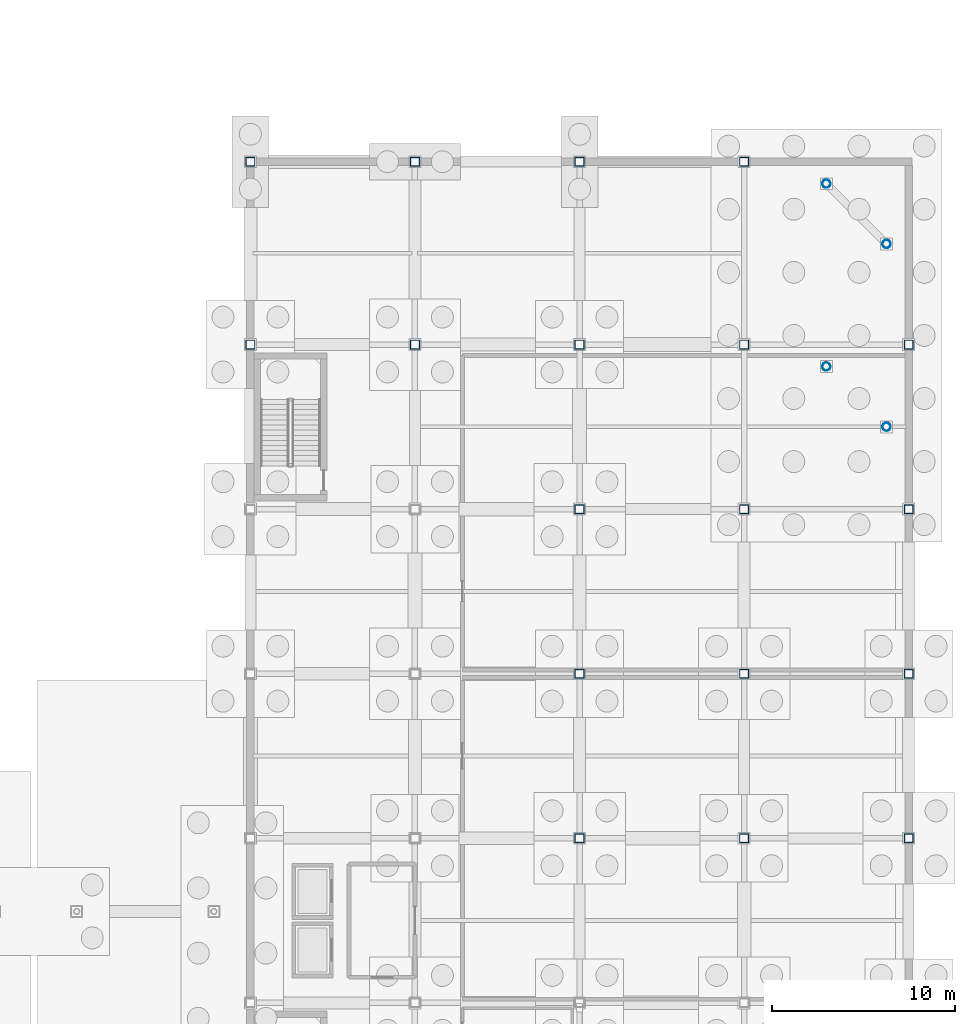
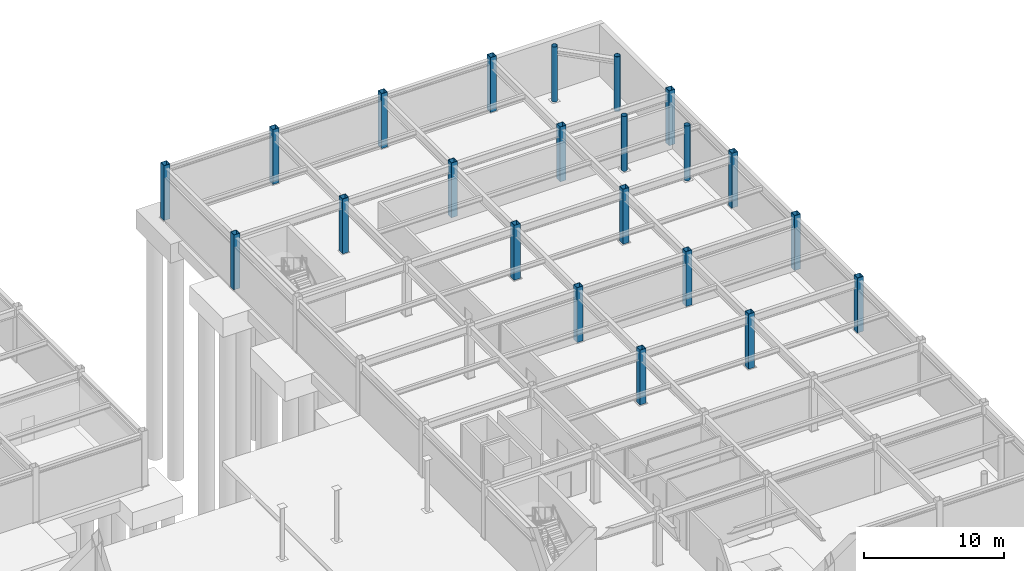
# One storey, part 39 of 74: 22 columns.
"""IFC4 building model written with IfcOpenShell, lengths in metres."""

from ifc_helpers import new_model, si_unit, direction, frame, origin, origin_2d, place, context, subcontext, project, spatial, hollow_rectangle, hollow_circle, extrude, material, material_profile, profile_set, type_object, element, save


model = new_model("IFC4")

# Units and contexts
model_context = context("Model", 3, precision=1e-05, world=origin(), true_north=direction((0.0, 1.0)))
body_context = subcontext(model_context, "Body", "Model", "MODEL_VIEW")
ifc_project = project(units=[si_unit("LENGTHUNIT", "METRE"), si_unit("AREAUNIT", "SQUARE_METRE"), si_unit("VOLUMEUNIT", "CUBIC_METRE"), si_unit("PLANEANGLEUNIT", "RADIAN"), si_unit("MASSUNIT", "GRAM", prefix="KILO")], contexts=[model_context])

# Site, building, storey
site_placement = place(None, origin())
site = spatial("IfcSite", under=ifc_project, at=site_placement, CompositionType="ELEMENT")
building_placement = place(site_placement, origin())
building = spatial("IfcBuilding", under=site, at=building_placement, Name="Suzunagisa Mobility Hub", CompositionType="ELEMENT")
storey_placement = place(building_placement, frame((0.0, 0.0, -4.800048828125)))
storey = spatial("IfcBuildingStorey", under=building, at=storey_placement, Name="B1", CompositionType="ELEMENT", Elevation=-4.800048828125)

# Columns
ifc_material = material(Name="Steel SN490B", Category="steel")
ifc_material_profile_1 = material_profile(ifc_material, hollow_circle(Radius=0.228515625, WallThickness=0.01611328125, at=origin_2d()), Name="CHS-457.2x16.0")
ifc_profile_set_1 = profile_set([ifc_material_profile_1], Name="Steel SN490B")
column_type_1 = type_object("IfcColumnType", Name="Steel Column CL-08 CHS-457.2x16.0", PredefinedType="COLUMN", material=ifc_profile_set_1)
for number, where, z_axis, x_axis, name in (
    (1, (175.5, 96.794189453125, 0.0), (0.0, 0.0, 1.0), (1.0, 0.0, 0.0), "B1 Column 313"),
    (2, (175.5, 106.794189453125, 0.0), (0.0, 0.0, 1.0), (1.0, 0.0, 0.0), "B1 Column 314"),
    (3, (178.794189453125, 93.5, 0.0), (0.0, 0.0, 1.0), (1.0, 0.0, 0.0), "B1 Column 319"),
    (4, (178.794189453125, 103.5, 0.0), (0.0, 0.0, 1.0), (1.0, 0.0, 0.0), "B1 Column 320"),
):
    element("IfcColumn", number, at=place(storey_placement, frame(where, z_axis=z_axis, x_axis=x_axis)), inside=storey, type_object=column_type_1, Name=name, PredefinedType="COLUMN", context=body_context, shape_type="SweptSolid", body=[
        extrude(hollow_circle(Radius=0.228515625, WallThickness=0.01611328125, at=origin_2d()), origin(), (0.0, 0.0, 1.0), 4.800048828125),
    ])
ifc_material_profile_2 = material_profile(ifc_material, hollow_rectangle(XDim=0.5, YDim=0.5, WallThickness=0.02490234375, at=origin_2d()), Name="BCR-500x500x25")
ifc_profile_set_2 = profile_set([ifc_material_profile_2], Name="Steel SN490B")
column_type_2 = type_object("IfcColumnType", Name="Steel Column CL-11 BCR-500x500x25", PredefinedType="COLUMN", material=ifc_profile_set_2)
for number, where, z_axis, x_axis, name in (
    (5, (144.0, 98.0, 0.0), (0.0, 0.0, 1.0), (1.0, 0.0, 0.0), "B1 Column 262"),
    (6, (144.0, 108.0, 0.0), (0.0, 0.0, 1.0), (1.0, 0.0, 0.0), "B1 Column 263"),
    (7, (153.0, 98.0, 0.0), (0.0, 0.0, 1.0), (1.0, 0.0, 0.0), "B1 Column 275"),
    (8, (153.0, 108.0, 0.0), (0.0, 0.0, 1.0), (1.0, 0.0, 0.0), "B1 Column 276"),
    (9, (162.0, 71.0, 0.0), (0.0, 0.0, 1.0), (1.0, 0.0, 0.0), "B1 Column 291"),
    (10, (162.0, 80.0, 0.0), (0.0, 0.0, 1.0), (1.0, 0.0, 0.0), "B1 Column 292"),
    (11, (162.0, 89.0, 0.0), (0.0, 0.0, 1.0), (1.0, 0.0, 0.0), "B1 Column 293"),
    (12, (162.0, 98.0, 0.0), (0.0, 0.0, 1.0), (1.0, 0.0, 0.0), "B1 Column 294"),
    (13, (162.0, 108.0, 0.0), (0.0, 0.0, 1.0), (1.0, 0.0, 0.0), "B1 Column 295"),
    (14, (171.0, 71.0, 0.0), (0.0, 0.0, 1.0), (1.0, 0.0, 0.0), "B1 Column 304"),
    (15, (171.0, 80.0, 0.0), (0.0, 0.0, 1.0), (1.0, 0.0, 0.0), "B1 Column 305"),
    (16, (171.0, 89.0, 0.0), (0.0, 0.0, 1.0), (1.0, 0.0, 0.0), "B1 Column 306"),
    (17, (171.0, 98.0, 0.0), (0.0, 0.0, 1.0), (1.0, 0.0, 0.0), "B1 Column 307"),
    (18, (171.0, 108.0, 0.0), (0.0, 0.0, 1.0), (1.0, 0.0, 0.0), "B1 Column 308"),
    (19, (180.0, 71.0, 0.0), (0.0, 0.0, 1.0), (1.0, 0.0, 0.0), "B1 Column 328"),
    (20, (180.0, 80.0, 0.0), (0.0, 0.0, 1.0), (1.0, 0.0, 0.0), "B1 Column 329"),
    (21, (180.0, 89.0, 0.0), (0.0, 0.0, 1.0), (1.0, 0.0, 0.0), "B1 Column 330"),
    (22, (180.0, 98.0, 0.0), (0.0, 0.0, 1.0), (1.0, 0.0, 0.0), "B1 Column 331"),
):
    element("IfcColumn", number, at=place(storey_placement, frame(where, z_axis=z_axis, x_axis=x_axis)), inside=storey, type_object=column_type_2, Name=name, PredefinedType="COLUMN", context=body_context, shape_type="SweptSolid", body=[
        extrude(hollow_rectangle(XDim=0.5, YDim=0.5, WallThickness=0.02490234375, at=origin_2d()), origin(), (0.0, 0.0, 1.0), 4.800048828125),
    ])

save(model, "model.ifc")
